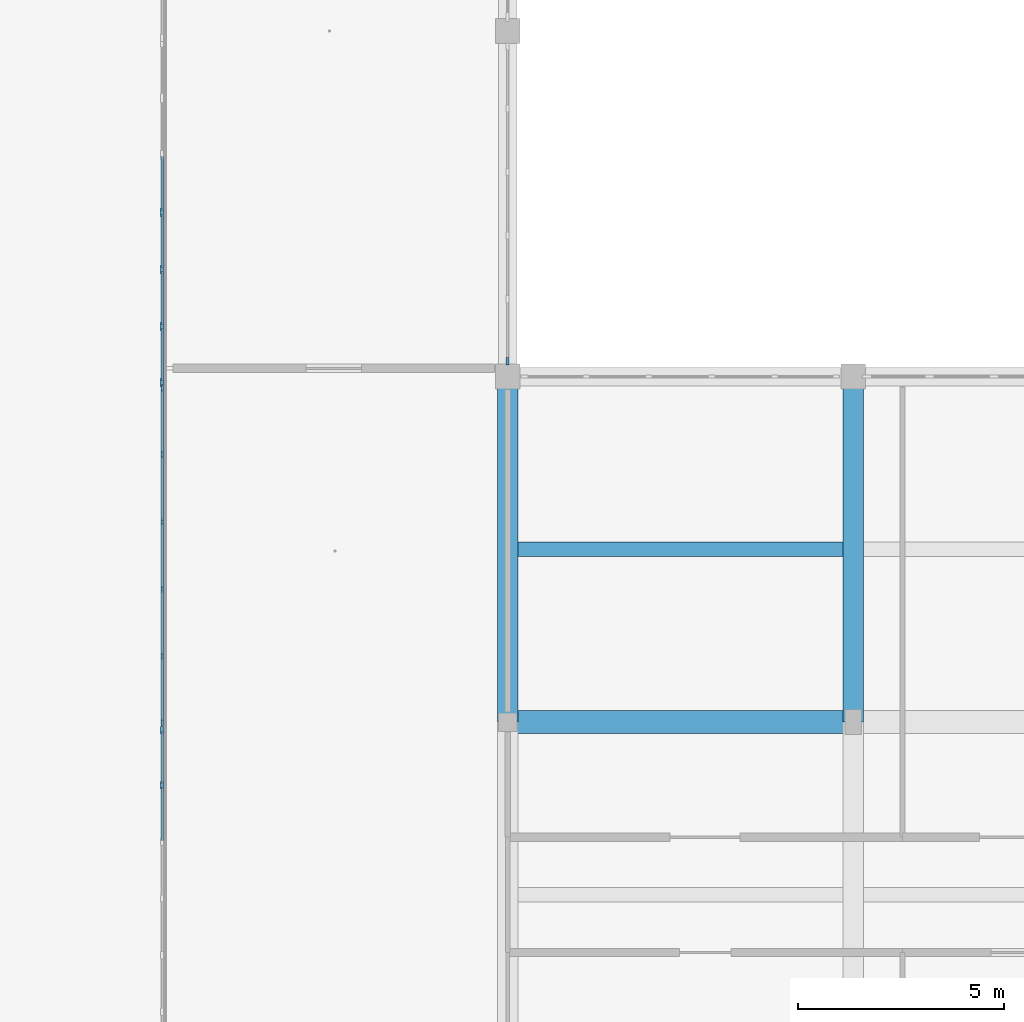
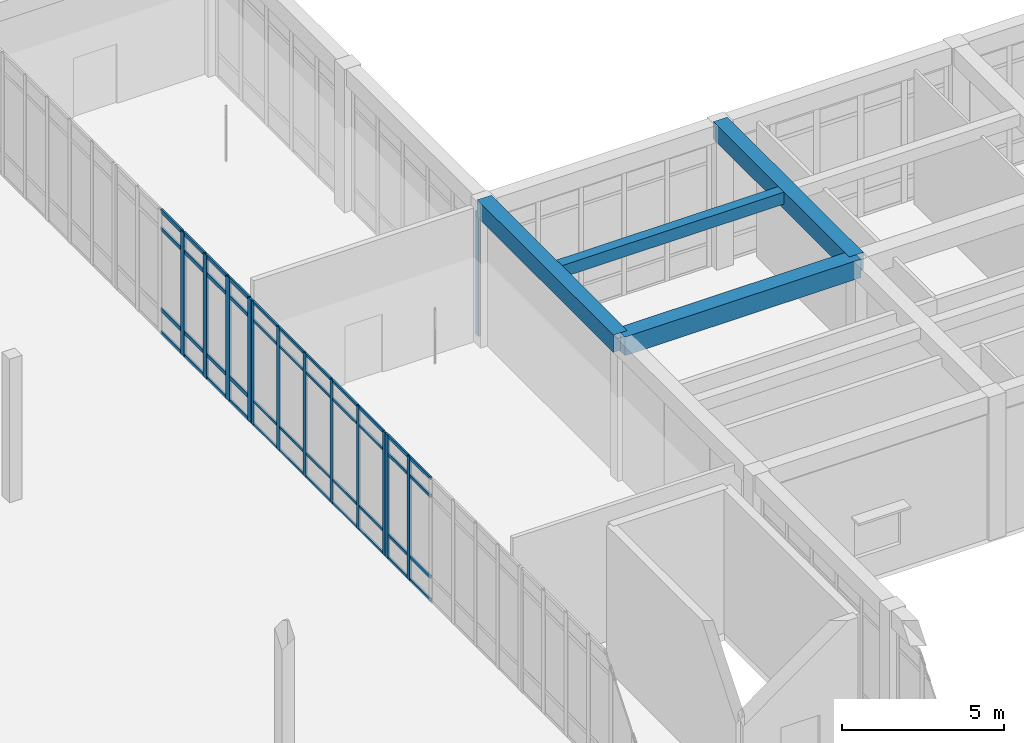
# One storey, part 26 of 157: 57 members, 4 beams, 4 elements without a shape of their own.
"""IFC4 building model written with IfcOpenShell, lengths in metres."""

from ifc_helpers import new_model, si_unit, direction, frame, origin, origin_2d, place, context, subcontext, project, spatial, rectangle, extrude, material, material_profile, profile_set, type_object, element, aggregate, save


model = new_model("IFC4")

# Units and contexts
model_context = context("Model", 3, precision=1e-05, world=origin(), true_north=direction((0.0, 1.0)))
body_context = subcontext(model_context, "Body", "Model", "MODEL_VIEW")
ifc_project = project(units=[si_unit("LENGTHUNIT", "METRE"), si_unit("AREAUNIT", "SQUARE_METRE"), si_unit("VOLUMEUNIT", "CUBIC_METRE"), si_unit("PLANEANGLEUNIT", "RADIAN"), si_unit("MASSUNIT", "GRAM", prefix="KILO")], contexts=[model_context])

# Site, building, storey
site_placement = place(None, origin())
site = spatial("IfcSite", under=ifc_project, at=site_placement, CompositionType="ELEMENT")
building_placement = place(site_placement, origin())
building = spatial("IfcBuilding", under=site, at=building_placement, Name="Varncliffe General Hospital", CompositionType="ELEMENT")
storey_placement = place(building_placement, frame((0.0, 0.0, 5.39990234375)))
storey = spatial("IfcBuildingStorey", under=building, at=storey_placement, Name="L01", CompositionType="ELEMENT", Elevation=5.39990234375)

# Beams
ifc_material_1 = material(Name="Concrete C35/45 (CSA A23.1 35 MPa)", Category="concrete")
ifc_material_profile_1 = material_profile(ifc_material_1, rectangle(XDim=0.5, YDim=0.64990234375, at=origin_2d()), Name="RC 500x650")
ifc_profile_set_1 = profile_set([ifc_material_profile_1], Name="Concrete C35/45 (CSA A23.1 35 MPa)")
beam_type_1 = type_object("IfcBeamType", Name="Beam B29 (Int RC 500x650)", PredefinedType="BEAM", material=ifc_profile_set_1)
for number, where, z_axis, x_axis, name in (
    (1, (117.60009765625, 32.39990234375, 5.0751953125), (0.0, 1.0, 0.0), (-1.0, 0.0, 0.0), "L01 Primary Beam B29-420"),
    (2, (126.0, 32.39990234375, 5.0751953125), (0.0, 1.0, 0.0), (-1.0, 0.0, 0.0), "L01 Primary Beam B29-434"),
):
    element("IfcBeam", number, at=place(storey_placement, frame(where, z_axis=z_axis, x_axis=x_axis)), inside=storey, type_object=beam_type_1, Name=name, PredefinedType="BEAM", context=body_context, shape_type="SweptSolid", body=[
        extrude(rectangle(XDim=0.5, YDim=0.64990234375, at=origin_2d()), origin(), (0.0, 0.0, 1.0), 8.400146484375),
    ])
ifc_material_profile_2 = material_profile(ifc_material_1, rectangle(XDim=0.550048828125, YDim=0.699951171875, at=origin_2d()), Name="RC 550x700")
ifc_profile_set_2 = profile_set([ifc_material_profile_2], Name="Concrete C35/45 (CSA A23.1 35 MPa)")
beam_type_2 = type_object("IfcBeamType", Name="Beam B35 (Int RC 550x700)", PredefinedType="BEAM", material=ifc_profile_set_2)
beam_1_placement = place(storey_placement, frame((117.60009765625, 32.39990234375, 5.050048828125), z_axis=(1.0, 0.0, 0.0), x_axis=(0.0, 1.0, 0.0)))
element("IfcBeam", 3, at=beam_1_placement, inside=storey, type_object=beam_type_2, Name="L01 Primary Beam B35-47", PredefinedType="BEAM", context=body_context, shape_type="SweptSolid", body=[
    extrude(rectangle(XDim=0.550048828125, YDim=0.699951171875, at=origin_2d()), origin(), (0.0, 0.0, 1.0), 8.39990234375),
])

# Curtain wall, member
ifc_material_2 = material(Name="Triple low-E argon insulated vision glazing", Category="glass")
curtain_wall_type_1 = type_object("IfcCurtainWallType", Name="Unitised Glazed Curtain Wall CW70 (7724x4640)", PredefinedType="USERDEFINED", material=ifc_material_2)
curtain_wall_1_placement = place(storey_placement, origin())
curtain_wall_1 = element("IfcCurtainWall", 4, at=curtain_wall_1_placement, inside=storey, type_object=curtain_wall_type_1, Name="L01 Glazed Curtain Wall CW70-58", ObjectType="GLAZED CURTAIN WALL", PredefinedType="USERDEFINED")
ifc_material_3 = material(Name="Dark bronze thermally broken aluminium framing", Category="aluminium")
ifc_material_profile_3 = material_profile(ifc_material_3, rectangle(XDim=0.074951171875, YDim=0.179931640625, at=origin_2d()), Name="ALU 75x180")
ifc_profile_set_3 = profile_set([ifc_material_profile_3], Name="Dark bronze thermally broken aluminium framing")
member_type_1 = type_object("IfcMemberType", Name="Curtain Wall Mullion CM44 (ALU 75x180)", PredefinedType="MULLION", material=ifc_profile_set_3)
member_1_placement = place(storey_placement, frame((117.60009765625, 41.175537109375, 0.0), z_axis=(0.0, 0.0, 1.0), x_axis=(1.0, 0.0, 0.0)))
member_1 = element("IfcMember", 5, at=member_1_placement, type_object=member_type_1, Name="CW70 mullion 6", PredefinedType="MULLION", context=body_context, shape_type="SweptSolid", body=[
    extrude(rectangle(XDim=0.074951171875, YDim=0.179931640625, at=origin_2d()), origin(), (0.0, 0.0, 1.0), 4.64013671875),
])
aggregate(curtain_wall_1, [member_1])

# Curtain wall, members
curtain_wall_type_2 = type_object("IfcCurtainWallType", Name="Unitised Glazed Curtain Wall CW14 (8260x4640)", PredefinedType="USERDEFINED", material=ifc_material_2)
curtain_wall_2_placement = place(storey_placement, origin())
curtain_wall_2 = element("IfcCurtainWall", 6, at=curtain_wall_2_placement, inside=storey, type_object=curtain_wall_type_2, Name="L01 Glazed Curtain Wall CW14-97", ObjectType="GLAZED CURTAIN WALL", PredefinedType="USERDEFINED")
member_2_placement = place(storey_placement, frame((109.199951171875, 30.864013671875, 0.0), z_axis=(0.0, 0.0, 1.0), x_axis=(-1.0, 0.0, 0.0)))
member_2 = element("IfcMember", 7, at=member_2_placement, type_object=member_type_1, Name="CW14 mullion 6", PredefinedType="MULLION", context=body_context, shape_type="SweptSolid", body=[
    extrude(rectangle(XDim=0.074951171875, YDim=0.179931640625, at=origin_2d()), origin(), (0.0, 0.0, 1.0), 4.64013671875),
])
member_3_placement = place(storey_placement, frame((109.199951171875, 32.203369140625, 0.0), z_axis=(0.0, 0.0, 1.0), x_axis=(-1.0, 0.0, 0.0)))
member_3 = element("IfcMember", 8, at=member_3_placement, type_object=member_type_1, Name="CW14 mullion 7", PredefinedType="MULLION", context=body_context, shape_type="SweptSolid", body=[
    extrude(rectangle(XDim=0.074951171875, YDim=0.179931640625, at=origin_2d()), origin(), (0.0, 0.0, 1.0), 4.64013671875),
])

curtain_wall_type_3 = type_object("IfcCurtainWallType", Name="Unitised Glazed Curtain Wall CW16 (8180x4640)", PredefinedType="USERDEFINED", material=ifc_material_2)
curtain_wall_3_placement = place(storey_placement, origin())
curtain_wall_3 = element("IfcCurtainWall", 9, at=curtain_wall_3_placement, inside=storey, type_object=curtain_wall_type_3, Name="L01 Glazed Curtain Wall CW16-98", ObjectType="GLAZED CURTAIN WALL", PredefinedType="USERDEFINED")
ifc_material_profile_4 = material_profile(ifc_material_3, rectangle(XDim=0.06494140625, YDim=0.159912109375, at=origin_2d()), Name="ALU 65x160")
ifc_profile_set_4 = profile_set([ifc_material_profile_4], Name="Dark bronze thermally broken aluminium framing")
member_type_2 = type_object("IfcMemberType", Name="Curtain Wall Mullion CM65 (ALU 65x160)", PredefinedType="MULLION", material=ifc_profile_set_4)
member_4_placement = place(storey_placement, frame((109.199951171875, 32.393310546875, 0.0), z_axis=(0.0, 0.0, 1.0), x_axis=(-1.0, 0.0, 0.0)))
member_4 = element("IfcMember", 10, at=member_4_placement, type_object=member_type_2, Name="CW16 mullion 1", PredefinedType="MULLION", context=body_context, shape_type="SweptSolid", body=[
    extrude(rectangle(XDim=0.06494140625, YDim=0.159912109375, at=origin_2d()), origin(), (0.0, 0.0, 1.0), 4.64013671875),
])
member_5_placement = place(storey_placement, frame((109.199951171875, 33.996826171875, 0.0), z_axis=(0.0, 0.0, 1.0), x_axis=(-1.0, 0.0, 0.0)))
member_5 = element("IfcMember", 11, at=member_5_placement, type_object=member_type_2, Name="CW16 mullion 2", PredefinedType="MULLION", context=body_context, shape_type="SweptSolid", body=[
    extrude(rectangle(XDim=0.06494140625, YDim=0.159912109375, at=origin_2d()), origin(), (0.0, 0.0, 1.0), 4.64013671875),
])
member_6_placement = place(storey_placement, frame((109.199951171875, 35.633056640625, 0.0), z_axis=(0.0, 0.0, 1.0), x_axis=(-1.0, 0.0, 0.0)))
member_6 = element("IfcMember", 12, at=member_6_placement, type_object=member_type_2, Name="CW16 mullion 3", PredefinedType="MULLION", context=body_context, shape_type="SweptSolid", body=[
    extrude(rectangle(XDim=0.06494140625, YDim=0.159912109375, at=origin_2d()), origin(), (0.0, 0.0, 1.0), 4.64013671875),
])
member_7_placement = place(storey_placement, frame((109.199951171875, 37.26904296875, 0.0), z_axis=(0.0, 0.0, 1.0), x_axis=(-1.0, 0.0, 0.0)))
member_7 = element("IfcMember", 13, at=member_7_placement, type_object=member_type_2, Name="CW16 mullion 4", PredefinedType="MULLION", context=body_context, shape_type="SweptSolid", body=[
    extrude(rectangle(XDim=0.06494140625, YDim=0.159912109375, at=origin_2d()), origin(), (0.0, 0.0, 1.0), 4.64013671875),
])
member_8_placement = place(storey_placement, frame((109.199951171875, 38.905029296875, 0.0), z_axis=(0.0, 0.0, 1.0), x_axis=(-1.0, 0.0, 0.0)))
member_8 = element("IfcMember", 14, at=member_8_placement, type_object=member_type_2, Name="CW16 mullion 5", PredefinedType="MULLION", context=body_context, shape_type="SweptSolid", body=[
    extrude(rectangle(XDim=0.06494140625, YDim=0.159912109375, at=origin_2d()), origin(), (0.0, 0.0, 1.0), 4.64013671875),
])
member_9_placement = place(storey_placement, frame((109.199951171875, 40.5087890625, 0.0), z_axis=(0.0, 0.0, 1.0), x_axis=(-1.0, 0.0, 0.0)))
member_9 = element("IfcMember", 15, at=member_9_placement, type_object=member_type_2, Name="CW16 mullion 6", PredefinedType="MULLION", context=body_context, shape_type="SweptSolid", body=[
    extrude(rectangle(XDim=0.06494140625, YDim=0.159912109375, at=origin_2d()), origin(), (0.0, 0.0, 1.0), 4.64013671875),
])

curtain_wall_type_4 = type_object("IfcCurtainWallType", Name="Unitised Glazed Curtain Wall CW86 (8340x4640)", PredefinedType="USERDEFINED", material=ifc_material_2)
curtain_wall_4_placement = place(storey_placement, origin())
curtain_wall_4 = element("IfcCurtainWall", 16, at=curtain_wall_4_placement, inside=storey, type_object=curtain_wall_type_4, Name="L01 Glazed Curtain Wall CW86-99", ObjectType="GLAZED CURTAIN WALL", PredefinedType="USERDEFINED")
ifc_material_profile_5 = material_profile(ifc_material_3, rectangle(XDim=0.074951171875, YDim=0.219970703125, at=origin_2d()), Name="ALU 75x220")
ifc_profile_set_5 = profile_set([ifc_material_profile_5], Name="Dark bronze thermally broken aluminium framing")
member_type_3 = type_object("IfcMemberType", Name="Curtain Wall Mullion CM74 (ALU 75x220)", PredefinedType="MULLION", material=ifc_profile_set_5)
member_10_placement = place(storey_placement, frame((109.199951171875, 40.65869140625, 0.0), z_axis=(0.0, 0.0, 1.0), x_axis=(-1.0, 0.0, 0.0)))
member_10 = element("IfcMember", 17, at=member_10_placement, type_object=member_type_3, Name="CW86 mullion 1", PredefinedType="MULLION", context=body_context, shape_type="SweptSolid", body=[
    extrude(rectangle(XDim=0.074951171875, YDim=0.219970703125, at=origin_2d()), origin(), (0.0, 0.0, 1.0), 4.64013671875),
])
member_11_placement = place(storey_placement, frame((109.199951171875, 42.01123046875, 0.0), z_axis=(0.0, 0.0, 1.0), x_axis=(-1.0, 0.0, 0.0)))
member_11 = element("IfcMember", 18, at=member_11_placement, type_object=member_type_3, Name="CW86 mullion 2", PredefinedType="MULLION", context=body_context, shape_type="SweptSolid", body=[
    extrude(rectangle(XDim=0.074951171875, YDim=0.219970703125, at=origin_2d()), origin(), (0.0, 0.0, 1.0), 4.64013671875),
])
member_12_placement = place(storey_placement, frame((109.199951171875, 43.4013671875, 0.0), z_axis=(0.0, 0.0, 1.0), x_axis=(-1.0, 0.0, 0.0)))
member_12 = element("IfcMember", 19, at=member_12_placement, type_object=member_type_3, Name="CW86 mullion 3", PredefinedType="MULLION", context=body_context, shape_type="SweptSolid", body=[
    extrude(rectangle(XDim=0.074951171875, YDim=0.219970703125, at=origin_2d()), origin(), (0.0, 0.0, 1.0), 4.64013671875),
])
member_13_placement = place(storey_placement, frame((109.199951171875, 44.79150390625, 0.0), z_axis=(0.0, 0.0, 1.0), x_axis=(-1.0, 0.0, 0.0)))
member_13 = element("IfcMember", 20, at=member_13_placement, type_object=member_type_3, Name="CW86 mullion 4", PredefinedType="MULLION", context=body_context, shape_type="SweptSolid", body=[
    extrude(rectangle(XDim=0.074951171875, YDim=0.219970703125, at=origin_2d()), origin(), (0.0, 0.0, 1.0), 4.64013671875),
])

# Member
ifc_material_profile_6 = material_profile(ifc_material_3, rectangle(XDim=0.06005859375, YDim=0.1201171875, at=origin_2d()), Name="ALU 60x120")
ifc_profile_set_6 = profile_set([ifc_material_profile_6], Name="Dark bronze thermally broken aluminium framing")
member_type_4 = type_object("IfcMemberType", Name="Curtain Wall Transom CT14 (ALU 60x120)", PredefinedType="USERDEFINED", material=ifc_profile_set_6)
member_14_placement = place(storey_placement, frame((109.199951171875, 29.52490234375, 0.030029296875), z_axis=(0.0, 1.0, 0.0), x_axis=(-1.0, 0.0, 0.0)))
member_14 = element("IfcMember", 21, at=member_14_placement, type_object=member_type_4, Name="CW14 transom 5.1", ObjectType="TRANSOM", PredefinedType="USERDEFINED", context=body_context, shape_type="SweptSolid", body=[
    extrude(rectangle(XDim=0.06005859375, YDim=0.1201171875, at=origin_2d()), origin(), (0.0, 0.0, 1.0), 1.3017578125),
])

member_15_placement = place(storey_placement, frame((109.199951171875, 29.52490234375, 0.900146484375), z_axis=(0.0, 1.0, 0.0), x_axis=(-1.0, 0.0, 0.0)))
member_15 = element("IfcMember", 22, at=member_15_placement, type_object=member_type_4, Name="CW14 transom 5.2", ObjectType="TRANSOM", PredefinedType="USERDEFINED", context=body_context, shape_type="SweptSolid", body=[
    extrude(rectangle(XDim=0.06005859375, YDim=0.1201171875, at=origin_2d()), origin(), (0.0, 0.0, 1.0), 1.3017578125),
])

member_16_placement = place(storey_placement, frame((109.199951171875, 29.52490234375, 3.940185546875), z_axis=(0.0, 1.0, 0.0), x_axis=(-1.0, 0.0, 0.0)))
member_16 = element("IfcMember", 23, at=member_16_placement, type_object=member_type_4, Name="CW14 transom 5.3", ObjectType="TRANSOM", PredefinedType="USERDEFINED", context=body_context, shape_type="SweptSolid", body=[
    extrude(rectangle(XDim=0.06005859375, YDim=0.1201171875, at=origin_2d()), origin(), (0.0, 0.0, 1.0), 1.3017578125),
])

member_17_placement = place(storey_placement, frame((109.199951171875, 29.52490234375, 4.610107421875), z_axis=(0.0, 1.0, 0.0), x_axis=(-1.0, 0.0, 0.0)))
member_17 = element("IfcMember", 24, at=member_17_placement, type_object=member_type_4, Name="CW14 transom 5.4", ObjectType="TRANSOM", PredefinedType="USERDEFINED", context=body_context, shape_type="SweptSolid", body=[
    extrude(rectangle(XDim=0.06005859375, YDim=0.1201171875, at=origin_2d()), origin(), (0.0, 0.0, 1.0), 1.3017578125),
])

member_18_placement = place(storey_placement, frame((109.199951171875, 30.901611328125, 0.030029296875), z_axis=(0.0, 1.0, 0.0), x_axis=(-1.0, 0.0, 0.0)))
member_18 = element("IfcMember", 25, at=member_18_placement, type_object=member_type_4, Name="CW14 transom 6.1", ObjectType="TRANSOM", PredefinedType="USERDEFINED", context=body_context, shape_type="SweptSolid", body=[
    extrude(rectangle(XDim=0.06005859375, YDim=0.1201171875, at=origin_2d()), origin(), (0.0, 0.0, 1.0), 1.26416015625),
])

member_19_placement = place(storey_placement, frame((109.199951171875, 30.901611328125, 0.900146484375), z_axis=(0.0, 1.0, 0.0), x_axis=(-1.0, 0.0, 0.0)))
member_19 = element("IfcMember", 26, at=member_19_placement, type_object=member_type_4, Name="CW14 transom 6.2", ObjectType="TRANSOM", PredefinedType="USERDEFINED", context=body_context, shape_type="SweptSolid", body=[
    extrude(rectangle(XDim=0.06005859375, YDim=0.1201171875, at=origin_2d()), origin(), (0.0, 0.0, 1.0), 1.26416015625),
])

member_20_placement = place(storey_placement, frame((109.199951171875, 30.901611328125, 3.940185546875), z_axis=(0.0, 1.0, 0.0), x_axis=(-1.0, 0.0, 0.0)))
member_20 = element("IfcMember", 27, at=member_20_placement, type_object=member_type_4, Name="CW14 transom 6.3", ObjectType="TRANSOM", PredefinedType="USERDEFINED", context=body_context, shape_type="SweptSolid", body=[
    extrude(rectangle(XDim=0.06005859375, YDim=0.1201171875, at=origin_2d()), origin(), (0.0, 0.0, 1.0), 1.26416015625),
])

member_21_placement = place(storey_placement, frame((109.199951171875, 30.901611328125, 4.610107421875), z_axis=(0.0, 1.0, 0.0), x_axis=(-1.0, 0.0, 0.0)))
member_21 = element("IfcMember", 28, at=member_21_placement, type_object=member_type_4, Name="CW14 transom 6.4", ObjectType="TRANSOM", PredefinedType="USERDEFINED", context=body_context, shape_type="SweptSolid", body=[
    extrude(rectangle(XDim=0.06005859375, YDim=0.1201171875, at=origin_2d()), origin(), (0.0, 0.0, 1.0), 1.26416015625),
])

aggregate(curtain_wall_2, [member_2, member_3, member_14, member_15, member_16, member_17, member_18, member_19, member_20, member_21])

ifc_material_profile_7 = material_profile(ifc_material_3, rectangle(XDim=0.06005859375, YDim=0.10009765625, at=origin_2d()), Name="ALU 60x100")
ifc_profile_set_7 = profile_set([ifc_material_profile_7], Name="Dark bronze thermally broken aluminium framing")
member_type_5 = type_object("IfcMemberType", Name="Curtain Wall Transom CT18 (ALU 60x100)", PredefinedType="USERDEFINED", material=ifc_profile_set_7)
member_22_placement = place(storey_placement, frame((109.199951171875, 32.42578125, 0.030029296875), z_axis=(0.0, 1.0, 0.0), x_axis=(-1.0, 0.0, 0.0)))
member_22 = element("IfcMember", 29, at=member_22_placement, type_object=member_type_5, Name="CW16 transom 1.1", ObjectType="TRANSOM", PredefinedType="USERDEFINED", context=body_context, shape_type="SweptSolid", body=[
    extrude(rectangle(XDim=0.06005859375, YDim=0.10009765625, at=origin_2d()), origin(), (0.0, 0.0, 1.0), 1.53857421875),
])

member_23_placement = place(storey_placement, frame((109.199951171875, 32.42578125, 0.900146484375), z_axis=(0.0, 1.0, 0.0), x_axis=(-1.0, 0.0, 0.0)))
member_23 = element("IfcMember", 30, at=member_23_placement, type_object=member_type_5, Name="CW16 transom 1.2", ObjectType="TRANSOM", PredefinedType="USERDEFINED", context=body_context, shape_type="SweptSolid", body=[
    extrude(rectangle(XDim=0.06005859375, YDim=0.10009765625, at=origin_2d()), origin(), (0.0, 0.0, 1.0), 1.53857421875),
])

member_24_placement = place(storey_placement, frame((109.199951171875, 32.42578125, 3.940185546875), z_axis=(0.0, 1.0, 0.0), x_axis=(-1.0, 0.0, 0.0)))
member_24 = element("IfcMember", 31, at=member_24_placement, type_object=member_type_5, Name="CW16 transom 1.3", ObjectType="TRANSOM", PredefinedType="USERDEFINED", context=body_context, shape_type="SweptSolid", body=[
    extrude(rectangle(XDim=0.06005859375, YDim=0.10009765625, at=origin_2d()), origin(), (0.0, 0.0, 1.0), 1.53857421875),
])

member_25_placement = place(storey_placement, frame((109.199951171875, 32.42578125, 4.610107421875), z_axis=(0.0, 1.0, 0.0), x_axis=(-1.0, 0.0, 0.0)))
member_25 = element("IfcMember", 32, at=member_25_placement, type_object=member_type_5, Name="CW16 transom 1.4", ObjectType="TRANSOM", PredefinedType="USERDEFINED", context=body_context, shape_type="SweptSolid", body=[
    extrude(rectangle(XDim=0.06005859375, YDim=0.10009765625, at=origin_2d()), origin(), (0.0, 0.0, 1.0), 1.53857421875),
])

member_26_placement = place(storey_placement, frame((109.199951171875, 34.029296875, 0.030029296875), z_axis=(0.0, 1.0, 0.0), x_axis=(-1.0, 0.0, 0.0)))
member_26 = element("IfcMember", 33, at=member_26_placement, type_object=member_type_5, Name="CW16 transom 2.1", ObjectType="TRANSOM", PredefinedType="USERDEFINED", context=body_context, shape_type="SweptSolid", body=[
    extrude(rectangle(XDim=0.06005859375, YDim=0.10009765625, at=origin_2d()), origin(), (0.0, 0.0, 1.0), 1.571044921875),
])

member_27_placement = place(storey_placement, frame((109.199951171875, 34.029296875, 0.900146484375), z_axis=(0.0, 1.0, 0.0), x_axis=(-1.0, 0.0, 0.0)))
member_27 = element("IfcMember", 34, at=member_27_placement, type_object=member_type_5, Name="CW16 transom 2.2", ObjectType="TRANSOM", PredefinedType="USERDEFINED", context=body_context, shape_type="SweptSolid", body=[
    extrude(rectangle(XDim=0.06005859375, YDim=0.10009765625, at=origin_2d()), origin(), (0.0, 0.0, 1.0), 1.571044921875),
])

member_28_placement = place(storey_placement, frame((109.199951171875, 34.029296875, 3.940185546875), z_axis=(0.0, 1.0, 0.0), x_axis=(-1.0, 0.0, 0.0)))
member_28 = element("IfcMember", 35, at=member_28_placement, type_object=member_type_5, Name="CW16 transom 2.3", ObjectType="TRANSOM", PredefinedType="USERDEFINED", context=body_context, shape_type="SweptSolid", body=[
    extrude(rectangle(XDim=0.06005859375, YDim=0.10009765625, at=origin_2d()), origin(), (0.0, 0.0, 1.0), 1.571044921875),
])

member_29_placement = place(storey_placement, frame((109.199951171875, 34.029296875, 4.610107421875), z_axis=(0.0, 1.0, 0.0), x_axis=(-1.0, 0.0, 0.0)))
member_29 = element("IfcMember", 36, at=member_29_placement, type_object=member_type_5, Name="CW16 transom 2.4", ObjectType="TRANSOM", PredefinedType="USERDEFINED", context=body_context, shape_type="SweptSolid", body=[
    extrude(rectangle(XDim=0.06005859375, YDim=0.10009765625, at=origin_2d()), origin(), (0.0, 0.0, 1.0), 1.571044921875),
])

member_30_placement = place(storey_placement, frame((109.199951171875, 35.66552734375, 0.030029296875), z_axis=(0.0, 1.0, 0.0), x_axis=(-1.0, 0.0, 0.0)))
member_30 = element("IfcMember", 37, at=member_30_placement, type_object=member_type_5, Name="CW16 transom 3.1", ObjectType="TRANSOM", PredefinedType="USERDEFINED", context=body_context, shape_type="SweptSolid", body=[
    extrude(rectangle(XDim=0.06005859375, YDim=0.10009765625, at=origin_2d()), origin(), (0.0, 0.0, 1.0), 1.571044921875),
])

member_31_placement = place(storey_placement, frame((109.199951171875, 35.66552734375, 0.900146484375), z_axis=(0.0, 1.0, 0.0), x_axis=(-1.0, 0.0, 0.0)))
member_31 = element("IfcMember", 38, at=member_31_placement, type_object=member_type_5, Name="CW16 transom 3.2", ObjectType="TRANSOM", PredefinedType="USERDEFINED", context=body_context, shape_type="SweptSolid", body=[
    extrude(rectangle(XDim=0.06005859375, YDim=0.10009765625, at=origin_2d()), origin(), (0.0, 0.0, 1.0), 1.571044921875),
])

member_32_placement = place(storey_placement, frame((109.199951171875, 35.66552734375, 3.940185546875), z_axis=(0.0, 1.0, 0.0), x_axis=(-1.0, 0.0, 0.0)))
member_32 = element("IfcMember", 39, at=member_32_placement, type_object=member_type_5, Name="CW16 transom 3.3", ObjectType="TRANSOM", PredefinedType="USERDEFINED", context=body_context, shape_type="SweptSolid", body=[
    extrude(rectangle(XDim=0.06005859375, YDim=0.10009765625, at=origin_2d()), origin(), (0.0, 0.0, 1.0), 1.571044921875),
])

member_33_placement = place(storey_placement, frame((109.199951171875, 35.66552734375, 4.610107421875), z_axis=(0.0, 1.0, 0.0), x_axis=(-1.0, 0.0, 0.0)))
member_33 = element("IfcMember", 40, at=member_33_placement, type_object=member_type_5, Name="CW16 transom 3.4", ObjectType="TRANSOM", PredefinedType="USERDEFINED", context=body_context, shape_type="SweptSolid", body=[
    extrude(rectangle(XDim=0.06005859375, YDim=0.10009765625, at=origin_2d()), origin(), (0.0, 0.0, 1.0), 1.571044921875),
])

member_34_placement = place(storey_placement, frame((109.199951171875, 37.301513671875, 0.030029296875), z_axis=(0.0, 1.0, 0.0), x_axis=(-1.0, 0.0, 0.0)))
member_34 = element("IfcMember", 41, at=member_34_placement, type_object=member_type_5, Name="CW16 transom 4.1", ObjectType="TRANSOM", PredefinedType="USERDEFINED", context=body_context, shape_type="SweptSolid", body=[
    extrude(rectangle(XDim=0.06005859375, YDim=0.10009765625, at=origin_2d()), origin(), (0.0, 0.0, 1.0), 1.571044921875),
])

member_35_placement = place(storey_placement, frame((109.199951171875, 37.301513671875, 0.900146484375), z_axis=(0.0, 1.0, 0.0), x_axis=(-1.0, 0.0, 0.0)))
member_35 = element("IfcMember", 42, at=member_35_placement, type_object=member_type_5, Name="CW16 transom 4.2", ObjectType="TRANSOM", PredefinedType="USERDEFINED", context=body_context, shape_type="SweptSolid", body=[
    extrude(rectangle(XDim=0.06005859375, YDim=0.10009765625, at=origin_2d()), origin(), (0.0, 0.0, 1.0), 1.571044921875),
])

member_36_placement = place(storey_placement, frame((109.199951171875, 37.301513671875, 3.940185546875), z_axis=(0.0, 1.0, 0.0), x_axis=(-1.0, 0.0, 0.0)))
member_36 = element("IfcMember", 43, at=member_36_placement, type_object=member_type_5, Name="CW16 transom 4.3", ObjectType="TRANSOM", PredefinedType="USERDEFINED", context=body_context, shape_type="SweptSolid", body=[
    extrude(rectangle(XDim=0.06005859375, YDim=0.10009765625, at=origin_2d()), origin(), (0.0, 0.0, 1.0), 1.571044921875),
])

member_37_placement = place(storey_placement, frame((109.199951171875, 37.301513671875, 4.610107421875), z_axis=(0.0, 1.0, 0.0), x_axis=(-1.0, 0.0, 0.0)))
member_37 = element("IfcMember", 44, at=member_37_placement, type_object=member_type_5, Name="CW16 transom 4.4", ObjectType="TRANSOM", PredefinedType="USERDEFINED", context=body_context, shape_type="SweptSolid", body=[
    extrude(rectangle(XDim=0.06005859375, YDim=0.10009765625, at=origin_2d()), origin(), (0.0, 0.0, 1.0), 1.571044921875),
])

member_38_placement = place(storey_placement, frame((109.199951171875, 38.9375, 0.030029296875), z_axis=(0.0, 1.0, 0.0), x_axis=(-1.0, 0.0, 0.0)))
member_38 = element("IfcMember", 45, at=member_38_placement, type_object=member_type_5, Name="CW16 transom 5.1", ObjectType="TRANSOM", PredefinedType="USERDEFINED", context=body_context, shape_type="SweptSolid", body=[
    extrude(rectangle(XDim=0.06005859375, YDim=0.10009765625, at=origin_2d()), origin(), (0.0, 0.0, 1.0), 1.538818359375),
])

member_39_placement = place(storey_placement, frame((109.199951171875, 38.9375, 0.900146484375), z_axis=(0.0, 1.0, 0.0), x_axis=(-1.0, 0.0, 0.0)))
member_39 = element("IfcMember", 46, at=member_39_placement, type_object=member_type_5, Name="CW16 transom 5.2", ObjectType="TRANSOM", PredefinedType="USERDEFINED", context=body_context, shape_type="SweptSolid", body=[
    extrude(rectangle(XDim=0.06005859375, YDim=0.10009765625, at=origin_2d()), origin(), (0.0, 0.0, 1.0), 1.538818359375),
])

member_40_placement = place(storey_placement, frame((109.199951171875, 38.9375, 3.940185546875), z_axis=(0.0, 1.0, 0.0), x_axis=(-1.0, 0.0, 0.0)))
member_40 = element("IfcMember", 47, at=member_40_placement, type_object=member_type_5, Name="CW16 transom 5.3", ObjectType="TRANSOM", PredefinedType="USERDEFINED", context=body_context, shape_type="SweptSolid", body=[
    extrude(rectangle(XDim=0.06005859375, YDim=0.10009765625, at=origin_2d()), origin(), (0.0, 0.0, 1.0), 1.538818359375),
])

member_41_placement = place(storey_placement, frame((109.199951171875, 38.9375, 4.610107421875), z_axis=(0.0, 1.0, 0.0), x_axis=(-1.0, 0.0, 0.0)))
member_41 = element("IfcMember", 48, at=member_41_placement, type_object=member_type_5, Name="CW16 transom 5.4", ObjectType="TRANSOM", PredefinedType="USERDEFINED", context=body_context, shape_type="SweptSolid", body=[
    extrude(rectangle(XDim=0.06005859375, YDim=0.10009765625, at=origin_2d()), origin(), (0.0, 0.0, 1.0), 1.538818359375),
])

aggregate(curtain_wall_3, [member_4, member_5, member_6, member_7, member_8, member_9, member_22, member_23, member_24, member_25, member_26, member_27, member_28, member_29, member_30, member_31, member_32, member_33, member_34, member_35, member_36, member_37, member_38, member_39, member_40, member_41])

ifc_material_profile_8 = material_profile(ifc_material_3, rectangle(XDim=0.06494140625, YDim=0.139892578125, at=origin_2d()), Name="ALU 65x140")
ifc_profile_set_8 = profile_set([ifc_material_profile_8], Name="Dark bronze thermally broken aluminium framing")
member_type_6 = type_object("IfcMemberType", Name="Curtain Wall Transom CT69 (ALU 65x140)", PredefinedType="USERDEFINED", material=ifc_profile_set_8)
member_42_placement = place(storey_placement, frame((109.199951171875, 40.6962890625, 0.03271484375), z_axis=(0.0, 1.0, 0.0), x_axis=(-1.0, 0.0, 0.0)))
member_42 = element("IfcMember", 49, at=member_42_placement, type_object=member_type_6, Name="CW86 transom 1.1", ObjectType="TRANSOM", PredefinedType="USERDEFINED", context=body_context, shape_type="SweptSolid", body=[
    extrude(rectangle(XDim=0.06494140625, YDim=0.139892578125, at=origin_2d()), origin(), (0.0, 0.0, 1.0), 1.277587890625),
])

member_43_placement = place(storey_placement, frame((109.199951171875, 40.6962890625, 0.900146484375), z_axis=(0.0, 1.0, 0.0), x_axis=(-1.0, 0.0, 0.0)))
member_43 = element("IfcMember", 50, at=member_43_placement, type_object=member_type_6, Name="CW86 transom 1.2", ObjectType="TRANSOM", PredefinedType="USERDEFINED", context=body_context, shape_type="SweptSolid", body=[
    extrude(rectangle(XDim=0.06494140625, YDim=0.139892578125, at=origin_2d()), origin(), (0.0, 0.0, 1.0), 1.277587890625),
])

member_44_placement = place(storey_placement, frame((109.199951171875, 40.6962890625, 3.940185546875), z_axis=(0.0, 1.0, 0.0), x_axis=(-1.0, 0.0, 0.0)))
member_44 = element("IfcMember", 51, at=member_44_placement, type_object=member_type_6, Name="CW86 transom 1.3", ObjectType="TRANSOM", PredefinedType="USERDEFINED", context=body_context, shape_type="SweptSolid", body=[
    extrude(rectangle(XDim=0.06494140625, YDim=0.139892578125, at=origin_2d()), origin(), (0.0, 0.0, 1.0), 1.277587890625),
])

member_45_placement = place(storey_placement, frame((109.199951171875, 40.6962890625, 4.607666015625), z_axis=(0.0, 1.0, 0.0), x_axis=(-1.0, 0.0, 0.0)))
member_45 = element("IfcMember", 52, at=member_45_placement, type_object=member_type_6, Name="CW86 transom 1.4", ObjectType="TRANSOM", PredefinedType="USERDEFINED", context=body_context, shape_type="SweptSolid", body=[
    extrude(rectangle(XDim=0.06494140625, YDim=0.139892578125, at=origin_2d()), origin(), (0.0, 0.0, 1.0), 1.277587890625),
])

member_46_placement = place(storey_placement, frame((109.199951171875, 42.048828125, 0.03271484375), z_axis=(0.0, 1.0, 0.0), x_axis=(-1.0, 0.0, 0.0)))
member_46 = element("IfcMember", 53, at=member_46_placement, type_object=member_type_6, Name="CW86 transom 2.1", ObjectType="TRANSOM", PredefinedType="USERDEFINED", context=body_context, shape_type="SweptSolid", body=[
    extrude(rectangle(XDim=0.06494140625, YDim=0.139892578125, at=origin_2d()), origin(), (0.0, 0.0, 1.0), 1.31494140625),
])

member_47_placement = place(storey_placement, frame((109.199951171875, 42.048828125, 0.900146484375), z_axis=(0.0, 1.0, 0.0), x_axis=(-1.0, 0.0, 0.0)))
member_47 = element("IfcMember", 54, at=member_47_placement, type_object=member_type_6, Name="CW86 transom 2.2", ObjectType="TRANSOM", PredefinedType="USERDEFINED", context=body_context, shape_type="SweptSolid", body=[
    extrude(rectangle(XDim=0.06494140625, YDim=0.139892578125, at=origin_2d()), origin(), (0.0, 0.0, 1.0), 1.31494140625),
])

member_48_placement = place(storey_placement, frame((109.199951171875, 42.048828125, 3.940185546875), z_axis=(0.0, 1.0, 0.0), x_axis=(-1.0, 0.0, 0.0)))
member_48 = element("IfcMember", 55, at=member_48_placement, type_object=member_type_6, Name="CW86 transom 2.3", ObjectType="TRANSOM", PredefinedType="USERDEFINED", context=body_context, shape_type="SweptSolid", body=[
    extrude(rectangle(XDim=0.06494140625, YDim=0.139892578125, at=origin_2d()), origin(), (0.0, 0.0, 1.0), 1.31494140625),
])

member_49_placement = place(storey_placement, frame((109.199951171875, 42.048828125, 4.607666015625), z_axis=(0.0, 1.0, 0.0), x_axis=(-1.0, 0.0, 0.0)))
member_49 = element("IfcMember", 56, at=member_49_placement, type_object=member_type_6, Name="CW86 transom 2.4", ObjectType="TRANSOM", PredefinedType="USERDEFINED", context=body_context, shape_type="SweptSolid", body=[
    extrude(rectangle(XDim=0.06494140625, YDim=0.139892578125, at=origin_2d()), origin(), (0.0, 0.0, 1.0), 1.31494140625),
])

member_50_placement = place(storey_placement, frame((109.199951171875, 43.438720703125, 0.03271484375), z_axis=(0.0, 1.0, 0.0), x_axis=(-1.0, 0.0, 0.0)))
member_50 = element("IfcMember", 57, at=member_50_placement, type_object=member_type_6, Name="CW86 transom 3.1", ObjectType="TRANSOM", PredefinedType="USERDEFINED", context=body_context, shape_type="SweptSolid", body=[
    extrude(rectangle(XDim=0.06494140625, YDim=0.139892578125, at=origin_2d()), origin(), (0.0, 0.0, 1.0), 1.315185546875),
])

member_51_placement = place(storey_placement, frame((109.199951171875, 43.438720703125, 0.900146484375), z_axis=(0.0, 1.0, 0.0), x_axis=(-1.0, 0.0, 0.0)))
member_51 = element("IfcMember", 58, at=member_51_placement, type_object=member_type_6, Name="CW86 transom 3.2", ObjectType="TRANSOM", PredefinedType="USERDEFINED", context=body_context, shape_type="SweptSolid", body=[
    extrude(rectangle(XDim=0.06494140625, YDim=0.139892578125, at=origin_2d()), origin(), (0.0, 0.0, 1.0), 1.315185546875),
])

member_52_placement = place(storey_placement, frame((109.199951171875, 43.438720703125, 3.940185546875), z_axis=(0.0, 1.0, 0.0), x_axis=(-1.0, 0.0, 0.0)))
member_52 = element("IfcMember", 59, at=member_52_placement, type_object=member_type_6, Name="CW86 transom 3.3", ObjectType="TRANSOM", PredefinedType="USERDEFINED", context=body_context, shape_type="SweptSolid", body=[
    extrude(rectangle(XDim=0.06494140625, YDim=0.139892578125, at=origin_2d()), origin(), (0.0, 0.0, 1.0), 1.315185546875),
])

member_53_placement = place(storey_placement, frame((109.199951171875, 43.438720703125, 4.607666015625), z_axis=(0.0, 1.0, 0.0), x_axis=(-1.0, 0.0, 0.0)))
member_53 = element("IfcMember", 60, at=member_53_placement, type_object=member_type_6, Name="CW86 transom 3.4", ObjectType="TRANSOM", PredefinedType="USERDEFINED", context=body_context, shape_type="SweptSolid", body=[
    extrude(rectangle(XDim=0.06494140625, YDim=0.139892578125, at=origin_2d()), origin(), (0.0, 0.0, 1.0), 1.315185546875),
])

member_54_placement = place(storey_placement, frame((109.199951171875, 44.828857421875, 0.03271484375), z_axis=(0.0, 1.0, 0.0), x_axis=(-1.0, 0.0, 0.0)))
member_54 = element("IfcMember", 61, at=member_54_placement, type_object=member_type_6, Name="CW86 transom 4.1", ObjectType="TRANSOM", PredefinedType="USERDEFINED", context=body_context, shape_type="SweptSolid", body=[
    extrude(rectangle(XDim=0.06494140625, YDim=0.139892578125, at=origin_2d()), origin(), (0.0, 0.0, 1.0), 1.315185546875),
])

member_55_placement = place(storey_placement, frame((109.199951171875, 44.828857421875, 0.900146484375), z_axis=(0.0, 1.0, 0.0), x_axis=(-1.0, 0.0, 0.0)))
member_55 = element("IfcMember", 62, at=member_55_placement, type_object=member_type_6, Name="CW86 transom 4.2", ObjectType="TRANSOM", PredefinedType="USERDEFINED", context=body_context, shape_type="SweptSolid", body=[
    extrude(rectangle(XDim=0.06494140625, YDim=0.139892578125, at=origin_2d()), origin(), (0.0, 0.0, 1.0), 1.315185546875),
])

member_56_placement = place(storey_placement, frame((109.199951171875, 44.828857421875, 3.940185546875), z_axis=(0.0, 1.0, 0.0), x_axis=(-1.0, 0.0, 0.0)))
member_56 = element("IfcMember", 63, at=member_56_placement, type_object=member_type_6, Name="CW86 transom 4.3", ObjectType="TRANSOM", PredefinedType="USERDEFINED", context=body_context, shape_type="SweptSolid", body=[
    extrude(rectangle(XDim=0.06494140625, YDim=0.139892578125, at=origin_2d()), origin(), (0.0, 0.0, 1.0), 1.315185546875),
])

member_57_placement = place(storey_placement, frame((109.199951171875, 44.828857421875, 4.607666015625), z_axis=(0.0, 1.0, 0.0), x_axis=(-1.0, 0.0, 0.0)))
member_57 = element("IfcMember", 64, at=member_57_placement, type_object=member_type_6, Name="CW86 transom 4.4", ObjectType="TRANSOM", PredefinedType="USERDEFINED", context=body_context, shape_type="SweptSolid", body=[
    extrude(rectangle(XDim=0.06494140625, YDim=0.139892578125, at=origin_2d()), origin(), (0.0, 0.0, 1.0), 1.315185546875),
])

aggregate(curtain_wall_4, [member_10, member_11, member_12, member_13, member_42, member_43, member_44, member_45, member_46, member_47, member_48, member_49, member_50, member_51, member_52, member_53, member_54, member_55, member_56, member_57])

# Beam
ifc_material_profile_9 = material_profile(ifc_material_1, rectangle(XDim=0.35009765625, YDim=0.449951171875, at=origin_2d()), Name="RC 350x450")
ifc_profile_set_9 = profile_set([ifc_material_profile_9], Name="Concrete C35/45 (CSA A23.1 35 MPa)")
beam_type_3 = type_object("IfcBeamType", Name="Joist J55 (Int RC 350x450)", PredefinedType="JOIST", material=ifc_profile_set_9)
beam_2_placement = place(storey_placement, frame((117.847900390625, 36.60009765625, 5.175048828125), z_axis=(1.0, 0.0, 0.0), x_axis=(0.0, 1.0, 0.0)))
element("IfcBeam", 65, at=beam_2_placement, inside=storey, type_object=beam_type_3, Name="L01 Secondary Floor Rib J55-59", PredefinedType="JOIST", context=body_context, shape_type="SweptSolid", body=[
    extrude(rectangle(XDim=0.35009765625, YDim=0.449951171875, at=origin_2d()), origin(), (0.0, 0.0, 1.0), 7.904052734375),
])

save(model, "model.ifc")
